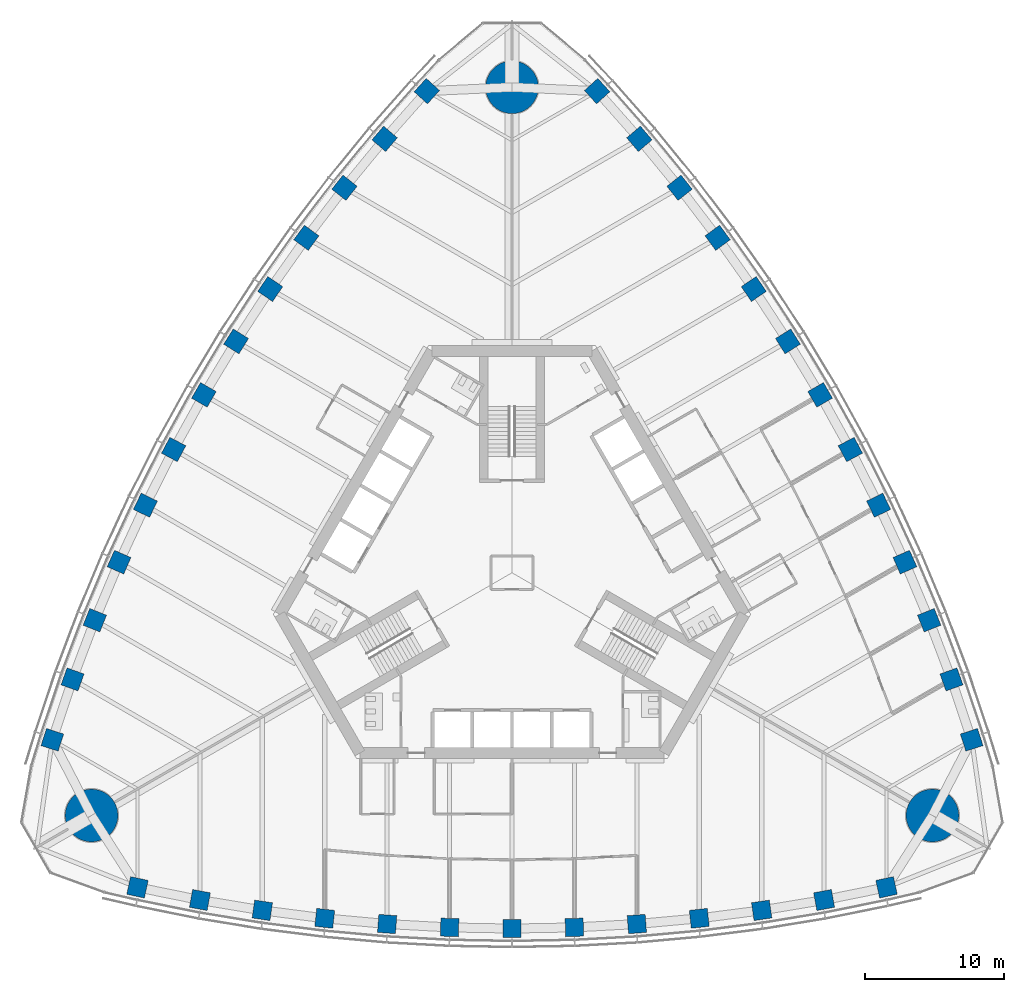
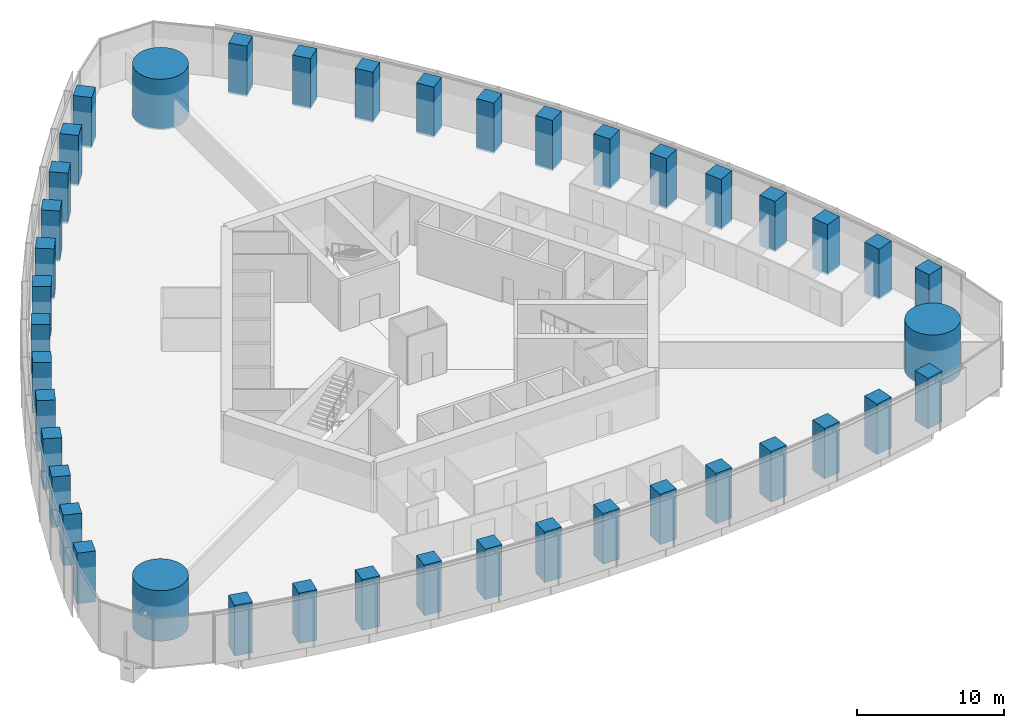
# One storey, part 1 of 19: 42 columns.
"""IFC4 building model written with IfcOpenShell, lengths in metres."""

from ifc_helpers import new_model, si_unit, direction, frame, origin, origin_2d, place, context, subcontext, project, spatial, rectangle, circle, extrude, material, material_profile, profile_set, type_object, element, save


model = new_model("IFC4")

# Units and contexts
model_context = context("Model", 3, precision=1e-05, world=origin(), true_north=direction((0.0, 1.0)))
body_context = subcontext(model_context, "Body", "Model", "MODEL_VIEW")
ifc_project = project(units=[si_unit("LENGTHUNIT", "METRE"), si_unit("AREAUNIT", "SQUARE_METRE"), si_unit("VOLUMEUNIT", "CUBIC_METRE"), si_unit("PLANEANGLEUNIT", "RADIAN"), si_unit("MASSUNIT", "GRAM", prefix="KILO")], contexts=[model_context])

# Site, building, storey
site_placement = place(None, origin())
site = spatial("IfcSite", under=ifc_project, at=site_placement, CompositionType="ELEMENT")
building_placement = place(site_placement, origin())
building = spatial("IfcBuilding", under=site, at=building_placement, Name="Trefoil Bronze Tower", CompositionType="ELEMENT")
storey_placement = place(building_placement, frame((0.0, 0.0, 124.10009765625)))
storey = spatial("IfcBuildingStorey", under=building, at=storey_placement, Name="L28", CompositionType="ELEMENT", Elevation=124.10009765625)

# Columns
ifc_material_1 = material(Name="Concrete B80", Category="concrete")
ifc_material_profile_1 = material_profile(ifc_material_1, circle(Radius=1.89990234375, at=origin_2d()), Name="RC D3800")
ifc_profile_set_1 = profile_set([ifc_material_profile_1], Name="Concrete B80")
column_type_1 = type_object("IfcColumnType", Name="Mega column RC D3800", PredefinedType="COLUMN", material=ifc_profile_set_1)
for number, where, z_axis, x_axis, name in (
    (1, (30.310791015625, -17.5, 0.0), (0.0, 0.0, 1.0), (1.0, 0.0, 0.0), "Mega column K1 L28"),
    (2, (0.0, 35.0, 0.0), (0.0, 0.0, 1.0), (1.0, 0.0, 0.0), "Mega column K2 L28"),
    (3, (-30.310791015625, -17.5, 0.0), (0.0, 0.0, 1.0), (1.0, 0.0, 0.0), "Mega column K3 L28"),
):
    element("IfcColumn", number, at=place(storey_placement, frame(where, z_axis=z_axis, x_axis=x_axis)), inside=storey, type_object=column_type_1, Name=name, PredefinedType="COLUMN", context=body_context, shape_type="SweptSolid", body=[
        extrude(circle(Radius=1.89990234375, at=origin_2d()), origin(), (0.0, 0.0, 1.0), 4.199951171875),
    ])
ifc_material_2 = material(Name="Concrete B80", Category="concrete")
ifc_material_profile_2 = material_profile(ifc_material_2, rectangle(XDim=1.300048828125, YDim=1.300048828125, at=origin_2d()), Name="RC 1300x1300")
ifc_profile_set_2 = profile_set([ifc_material_profile_2], Name="Concrete B80")
column_type_2 = type_object("IfcColumnType", Name="Tube column RC 1300x1300", PredefinedType="COLUMN", material=ifc_profile_set_2)
for number, where, z_axis, x_axis, name in (
    (4, (-27.0, -22.67724609375, 0.0), (0.0, 0.0, 1.0), (0.977276081214, -0.21197042503, 0.0), "Tube column F1/-6 L28"),
    (5, (-22.5, -23.592529296875, 0.0), (0.0, 0.0, 1.0), (0.98362250613, -0.180240853954, 0.0), "Tube column F1/-5 L28"),
    (6, (-18.0, -24.337158203125, 0.0), (0.0, 0.0, 1.0), (0.989549714366, -0.144192103798, 0.0), "Tube column F1/-4 L28"),
    (7, (-13.5, -24.9130859375, 0.0), (0.0, 0.0, 1.0), (0.994135267447, -0.108143747013, 0.0), "Tube column F1/-3 L28"),
    (8, (-9.0, -25.32275390625, 0.0), (0.0, 0.0, 1.0), (0.997397720802, -0.072095676284, 0.0), "Tube column F1/-2 L28"),
    (9, (-4.5, -25.568115234375, 0.0), (0.0, 0.0, 1.0), (0.999350067136, -0.036047792107, 0.0), "Tube column F1/-1 L28"),
    (10, (0.0, -25.649658203125, 0.0), (0.0, 0.0, 1.0), (1.0, 0.0, 0.0), "Tube column F1/+0 L28"),
    (11, (4.5, -25.568115234375, 0.0), (0.0, 0.0, 1.0), (0.999350067136, 0.036047792107, 0.0), "Tube column F1/+1 L28"),
    (12, (9.0, -25.32275390625, 0.0), (0.0, 0.0, 1.0), (0.997397720802, 0.072095676284, 0.0), "Tube column F1/+2 L28"),
    (13, (13.5, -24.9130859375, 0.0), (0.0, 0.0, 1.0), (0.994135267447, 0.108143747013, 0.0), "Tube column F1/+3 L28"),
    (14, (18.0, -24.337158203125, 0.0), (0.0, 0.0, 1.0), (0.989549714366, 0.144192103798, 0.0), "Tube column F1/+4 L28"),
    (15, (22.5, -23.592529296875, 0.0), (0.0, 0.0, 1.0), (0.98362250613, 0.180240853954, 0.0), "Tube column F1/+5 L28"),
    (16, (27.0, -22.67724609375, 0.0), (0.0, 0.0, 1.0), (0.977276081214, 0.21197042503, 0.0), "Tube column F1/+6 L28"),
    (17, (33.13916015625, -12.044189453125, 0.0), (0.0, 0.0, 1.0), (-0.30506626768, 0.952331125357, 0.0), "Tube column F2/-6 L28"),
    (18, (31.681884765625, -7.689208984375, 0.0), (0.0, 0.0, 1.0), (-0.335718094742, 0.94196250502, 0.0), "Tube column F2/-5 L28"),
    (19, (30.07666015625, -3.419921875, 0.0), (0.0, 0.0, 1.0), (-0.369900832269, 0.929071242848, 0.0), "Tube column F2/-4 L28"),
    (20, (28.325439453125, 0.76513671875, 0.0), (0.0, 0.0, 1.0), (-0.40341240155, 0.915018269914, 0.0), "Tube column F2/-3 L28"),
    (21, (26.43017578125, 4.8671875, 0.0), (0.0, 0.0, 1.0), (-0.436262173236, 0.899819602033, 0.0), "Tube column F2/-2 L28"),
    (22, (24.392578125, 8.886962890625, 0.0), (0.0, 0.0, 1.0), (-0.468456729853, 0.883486441467, 0.0), "Tube column F2/-1 L28"),
    (23, (22.21337890625, 12.824951171875, 0.0), (0.0, 0.0, 1.0), (-0.5, 0.866025403784, 0.0), "Tube column F2/+0 L28"),
    (24, (19.892578125, 16.68115234375, 0.0), (0.0, 0.0, 1.0), (-0.530893337283, 0.84743864936, 0.0), "Tube column F2/+1 L28"),
    (25, (17.43017578125, 20.45556640625, 0.0), (0.0, 0.0, 1.0), (-0.561135547566, 0.827723925749, 0.0), "Tube column F2/+2 L28"),
    (26, (14.825439453125, 24.14794921875, 0.0), (0.0, 0.0, 1.0), (-0.590722865897, 0.806874522901, 0.0), "Tube column F2/+3 L28"),
    (27, (12.07666015625, 27.757080078125, 0.0), (0.0, 0.0, 1.0), (-0.619648882098, 0.78487913905, 0.0), "Tube column F2/+4 L28"),
    (28, (9.181884765625, 31.281982421875, 0.0), (0.0, 0.0, 1.0), (-0.647904411389, 0.761721651066, 0.0), "Tube column F2/+5 L28"),
    (29, (6.13916015625, 34.72119140625, 0.0), (0.0, 0.0, 1.0), (-0.672209813534, 0.740360700327, 0.0), "Tube column F2/+6 L28"),
    (30, (-6.13916015625, 34.72119140625, 0.0), (0.0, 0.0, 1.0), (-0.672209813534, -0.740360700327, 0.0), "Tube column F3/-6 L28"),
    (31, (-9.181884765625, 31.281982421875, 0.0), (0.0, 0.0, 1.0), (-0.647904411389, -0.761721651066, 0.0), "Tube column F3/-5 L28"),
    (32, (-12.07666015625, 27.757080078125, 0.0), (0.0, 0.0, 1.0), (-0.619648882098, -0.78487913905, 0.0), "Tube column F3/-4 L28"),
    (33, (-14.825439453125, 24.14794921875, 0.0), (0.0, 0.0, 1.0), (-0.590722865897, -0.806874522901, 0.0), "Tube column F3/-3 L28"),
    (34, (-17.43017578125, 20.45556640625, 0.0), (0.0, 0.0, 1.0), (-0.561135547566, -0.827723925749, 0.0), "Tube column F3/-2 L28"),
    (35, (-19.892578125, 16.68115234375, 0.0), (0.0, 0.0, 1.0), (-0.530893337283, -0.84743864936, 0.0), "Tube column F3/-1 L28"),
    (36, (-22.21337890625, 12.824951171875, 0.0), (0.0, 0.0, 1.0), (-0.5, -0.866025403784, 0.0), "Tube column F3/+0 L28"),
    (37, (-24.392578125, 8.886962890625, 0.0), (0.0, 0.0, 1.0), (-0.468456729853, -0.883486441467, 0.0), "Tube column F3/+1 L28"),
    (38, (-26.43017578125, 4.8671875, 0.0), (0.0, 0.0, 1.0), (-0.436262173236, -0.899819602033, 0.0), "Tube column F3/+2 L28"),
    (39, (-28.325439453125, 0.76513671875, 0.0), (0.0, 0.0, 1.0), (-0.40341240155, -0.915018269914, 0.0), "Tube column F3/+3 L28"),
    (40, (-30.07666015625, -3.419921875, 0.0), (0.0, 0.0, 1.0), (-0.369900832269, -0.929071242848, 0.0), "Tube column F3/+4 L28"),
    (41, (-31.681884765625, -7.689208984375, 0.0), (0.0, 0.0, 1.0), (-0.335718094742, -0.94196250502, 0.0), "Tube column F3/+5 L28"),
    (42, (-33.13916015625, -12.044189453125, 0.0), (0.0, 0.0, 1.0), (-0.30506626768, -0.952331125357, 0.0), "Tube column F3/+6 L28"),
):
    element("IfcColumn", number, at=place(storey_placement, frame(where, z_axis=z_axis, x_axis=x_axis)), inside=storey, type_object=column_type_2, Name=name, PredefinedType="COLUMN", context=body_context, shape_type="SweptSolid", body=[
        extrude(rectangle(XDim=1.300048828125, YDim=1.300048828125, at=origin_2d()), origin(), (0.0, 0.0, 1.0), 4.199951171875),
    ])

save(model, "model.ifc")
